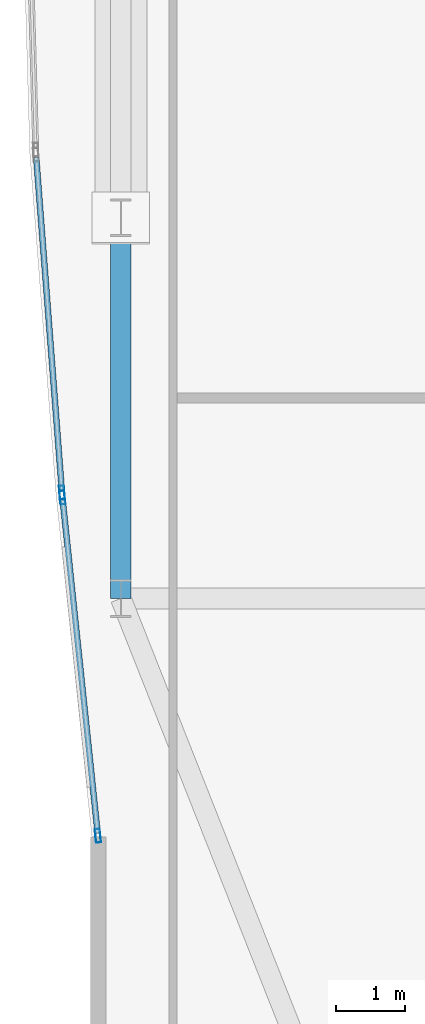
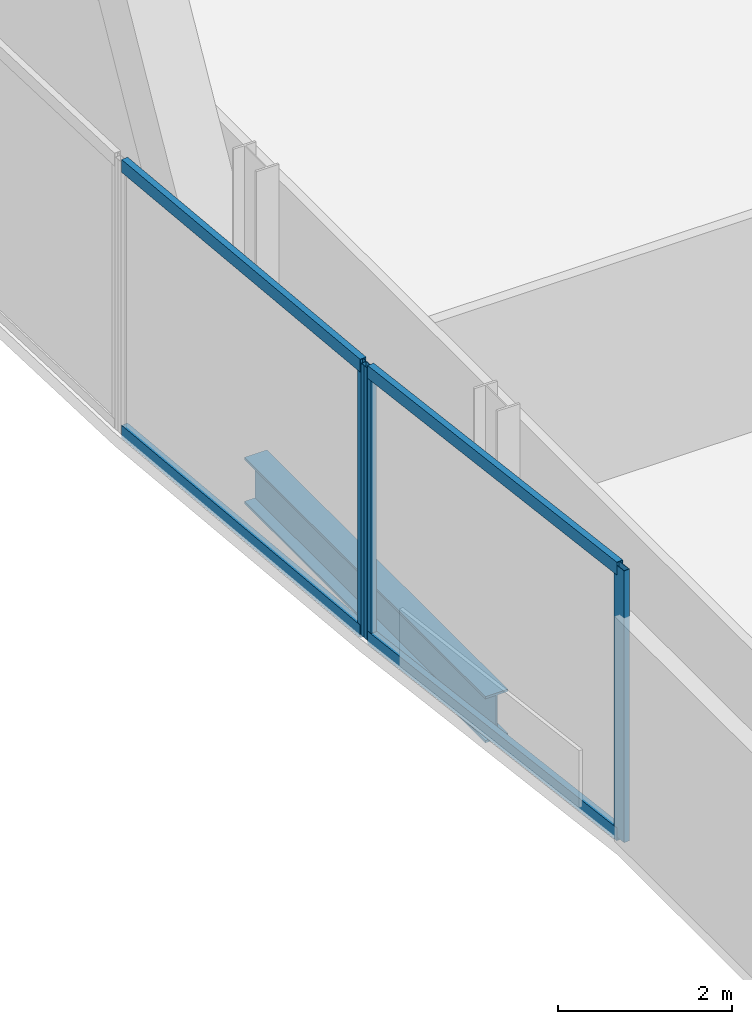
# One storey, part 6 of 32: 7 members, 1 beam, 2 elements without a shape of their own.
"""IFC4 building model written with IfcOpenShell, lengths in metres."""

from ifc_helpers import new_model, si_unit, direction, frame, origin, origin_2d, place, context, subcontext, project, spatial, hollow_rectangle, i_section, extrude, material, material_profile, profile_set, type_object, element, aggregate, save


model = new_model("IFC4")

# Units and contexts
model_context = context("Model", 3, precision=1e-05, world=origin(), true_north=direction((0.0, 1.0)))
body_context = subcontext(model_context, "Body", "Model", "MODEL_VIEW")
ifc_project = project(units=[si_unit("LENGTHUNIT", "METRE"), si_unit("AREAUNIT", "SQUARE_METRE"), si_unit("VOLUMEUNIT", "CUBIC_METRE"), si_unit("PLANEANGLEUNIT", "RADIAN"), si_unit("MASSUNIT", "GRAM", prefix="KILO")], contexts=[model_context])

# Site, building, storey
site_placement = place(None, origin())
site = spatial("IfcSite", under=ifc_project, at=site_placement, CompositionType="ELEMENT")
building_placement = place(site_placement, origin())
building = spatial("IfcBuilding", under=site, at=building_placement, Name="Khoronbel Lancet Exchange", CompositionType="ELEMENT")
storey_placement = place(building_placement, frame((0.0, 0.0, 94.60009765625)))
storey = spatial("IfcBuildingStorey", under=building, at=storey_placement, Name="L22", CompositionType="ELEMENT", Elevation=94.60009765625)

# Beam
ifc_material_1 = material(Name="Steel S355", Category="steel")
ifc_material_profile_1 = material_profile(ifc_material_1, i_section(OverallWidth=0.300048828125, OverallDepth=0.64990234375, WebThickness=0.01611328125, FlangeThickness=0.031005859375, at=origin_2d()), Name="HEB 650")
ifc_profile_set_1 = profile_set([ifc_material_profile_1], Name="Steel S355")
beam_type = type_object("IfcBeamType", Name="BM-BSP1", PredefinedType="SPANDREL", material=ifc_profile_set_1)
beam_placement = place(storey_placement, frame((3.27001953125, 24.75, -0.505126953125), z_axis=(0.0, -1.0, 0.0), x_axis=(1.0, 0.0, 0.0)))
element("IfcBeam", 1, at=beam_placement, inside=storey, type_object=beam_type, Name="Level L22 perimeter spandrel beam SP20", PredefinedType="SPANDREL", context=body_context, shape_type="SweptSolid", body=[
    extrude(i_section(OverallWidth=0.300048828125, OverallDepth=0.64990234375, WebThickness=0.01611328125, FlangeThickness=0.031005859375, at=origin_2d()), origin(), (0.0, 0.0, 1.0), 5.550048828125),
])

# Curtain wall, members
ifc_material_2 = material(Name="Low-E Solar Control Insulating Glass", Category="glass")
curtain_wall_type = type_object("IfcCurtainWallType", Name="CW-4", PredefinedType="NOTDEFINED", material=ifc_material_2)
curtain_wall_1_placement = place(storey_placement, origin())
curtain_wall_1 = element("IfcCurtainWall", 2, at=curtain_wall_1_placement, inside=storey, type_object=curtain_wall_type, Name="Unitised curtain wall CW-L22-E04", PredefinedType="NOTDEFINED")
ifc_material_3 = material(Name="Bronze-Anodised Aluminium 6063-T6", Category="aluminium")
ifc_material_profile_2 = material_profile(ifc_material_3, hollow_rectangle(XDim=0.074951171875, YDim=0.199951171875, WallThickness=0.0048828125, at=origin_2d()), Name="ALU MULLION 75x200")
ifc_profile_set_2 = profile_set([ifc_material_profile_2], Name="Bronze-Anodised Aluminium 6063-T6")
member_type_1 = type_object("IfcMemberType", Name="MEM-CWM2", PredefinedType="MULLION", material=ifc_profile_set_2)
member_1_placement = place(storey_placement, frame((2.93603515625, 15.741943359375, 0.0), z_axis=(0.0, 0.0, 1.0), x_axis=(-0.994531779003, -0.104434383958, 0.0)))
member_1 = element("IfcMember", 3, at=member_1_placement, type_object=member_type_1, Name="CW4 mullion 1", PredefinedType="MULLION", context=body_context, shape_type="SweptSolid", body=[
    extrude(hollow_rectangle(XDim=0.074951171875, YDim=0.199951171875, WallThickness=0.0048828125, at=origin_2d()), origin(), (0.0, 0.0, 1.0), 3.81982421875),
])
member_2_placement = place(storey_placement, frame((2.41845703125, 20.6708984375, 0.0), z_axis=(0.0, 0.0, 1.0), x_axis=(-0.994531779003, -0.104434383958, 0.0)))
member_2 = element("IfcMember", 4, at=member_2_placement, type_object=member_type_1, Name="CW4 mullion 2", PredefinedType="MULLION", context=body_context, shape_type="SweptSolid", body=[
    extrude(hollow_rectangle(XDim=0.074951171875, YDim=0.199951171875, WallThickness=0.0048828125, at=origin_2d()), origin(), (0.0, 0.0, 1.0), 3.81982421875),
])

# Curtain wall, member
curtain_wall_2_placement = place(storey_placement, origin())
curtain_wall_2 = element("IfcCurtainWall", 5, at=curtain_wall_2_placement, inside=storey, type_object=curtain_wall_type, Name="Unitised curtain wall CW-L22-E05", PredefinedType="NOTDEFINED")
member_3_placement = place(storey_placement, frame((2.41162109375, 20.74560546875, 0.0), z_axis=(0.0, 0.0, 1.0), x_axis=(-0.997059882555, -0.076626304874, 0.0)))
member_3 = element("IfcMember", 6, at=member_3_placement, type_object=member_type_1, Name="CW4 mullion 1", PredefinedType="MULLION", context=body_context, shape_type="SweptSolid", body=[
    extrude(hollow_rectangle(XDim=0.074951171875, YDim=0.199951171875, WallThickness=0.0048828125, at=origin_2d()), origin(), (0.0, 0.0, 1.0), 3.81982421875),
])

# Member
ifc_material_profile_3 = material_profile(ifc_material_3, hollow_rectangle(XDim=0.0849609375, YDim=0.179931640625, WallThickness=0.0048828125, at=origin_2d()), Name="ALU TRANSOM 85x180")
ifc_profile_set_3 = profile_set([ifc_material_profile_3], Name="Bronze-Anodised Aluminium 6063-T6")
member_type_2 = type_object("IfcMemberType", Name="MEM-CWT1", PredefinedType="USERDEFINED", material=ifc_profile_set_3)
member_4_placement = place(storey_placement, frame((2.93212890625, 15.779296875, 0.04248046875), z_axis=(-0.104440030005, 0.994531186104, 0.0), x_axis=(-0.994531186104, -0.104440030005, 0.0)))
member_4 = element("IfcMember", 7, at=member_4_placement, type_object=member_type_2, Name="CW4 transom 1.1", ObjectType="TRANSOM", PredefinedType="USERDEFINED", context=body_context, shape_type="SweptSolid", body=[
    extrude(hollow_rectangle(XDim=0.0849609375, YDim=0.179931640625, WallThickness=0.0048828125, at=origin_2d()), origin(), (0.0, 0.0, 1.0), 4.880859375),
])

member_5_placement = place(storey_placement, frame((2.93212890625, 15.779296875, 3.77734375), z_axis=(-0.104440030005, 0.994531186104, 0.0), x_axis=(-0.994531186104, -0.104440030005, 0.0)))
member_5 = element("IfcMember", 8, at=member_5_placement, type_object=member_type_2, Name="CW4 transom 1.2", ObjectType="TRANSOM", PredefinedType="USERDEFINED", context=body_context, shape_type="SweptSolid", body=[
    extrude(hollow_rectangle(XDim=0.0849609375, YDim=0.179931640625, WallThickness=0.0048828125, at=origin_2d()), origin(), (0.0, 0.0, 1.0), 4.880859375),
])

aggregate(curtain_wall_1, [member_1, member_2, member_4, member_5])

member_6_placement = place(storey_placement, frame((2.408935546875, 20.782958984375, 0.04248046875), z_axis=(-0.076638891079, 0.997058915197, 0.0), x_axis=(-0.997058915197, -0.076638891079, 0.0)))
member_6 = element("IfcMember", 9, at=member_6_placement, type_object=member_type_2, Name="CW4 transom 1.1", ObjectType="TRANSOM", PredefinedType="USERDEFINED", context=body_context, shape_type="SweptSolid", body=[
    extrude(hollow_rectangle(XDim=0.0849609375, YDim=0.179931640625, WallThickness=0.0048828125, at=origin_2d()), origin(), (0.0, 0.0, 1.0), 4.861328125),
])

member_7_placement = place(storey_placement, frame((2.408935546875, 20.782958984375, 3.77734375), z_axis=(-0.076638891079, 0.997058915197, 0.0), x_axis=(-0.997058915197, -0.076638891079, 0.0)))
member_7 = element("IfcMember", 10, at=member_7_placement, type_object=member_type_2, Name="CW4 transom 1.2", ObjectType="TRANSOM", PredefinedType="USERDEFINED", context=body_context, shape_type="SweptSolid", body=[
    extrude(hollow_rectangle(XDim=0.0849609375, YDim=0.179931640625, WallThickness=0.0048828125, at=origin_2d()), origin(), (0.0, 0.0, 1.0), 4.861328125),
])

aggregate(curtain_wall_2, [member_3, member_6, member_7])

save(model, "model.ifc")
